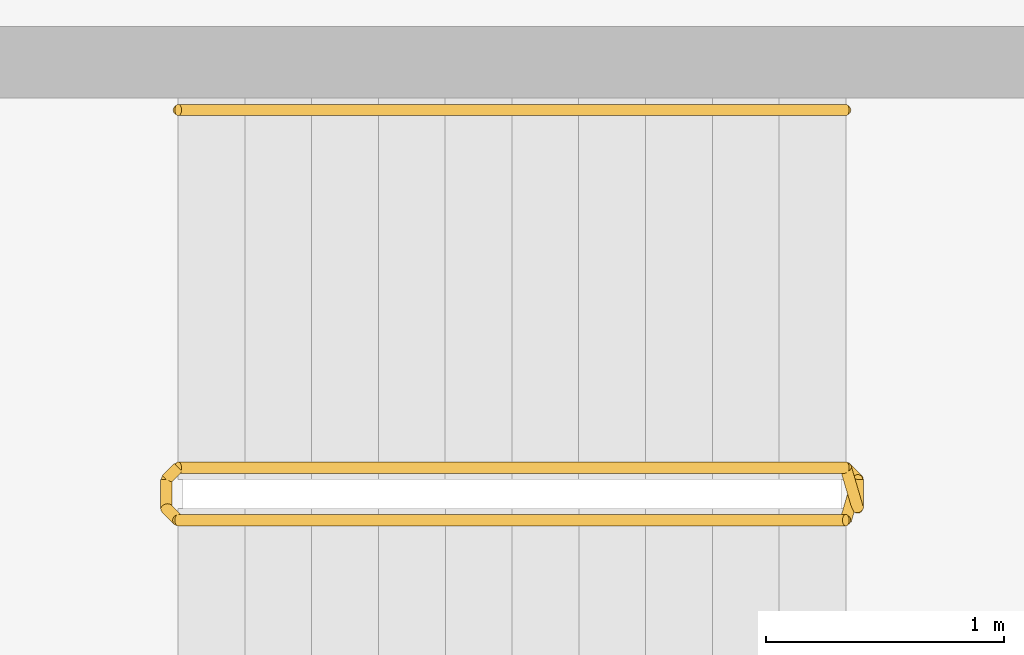
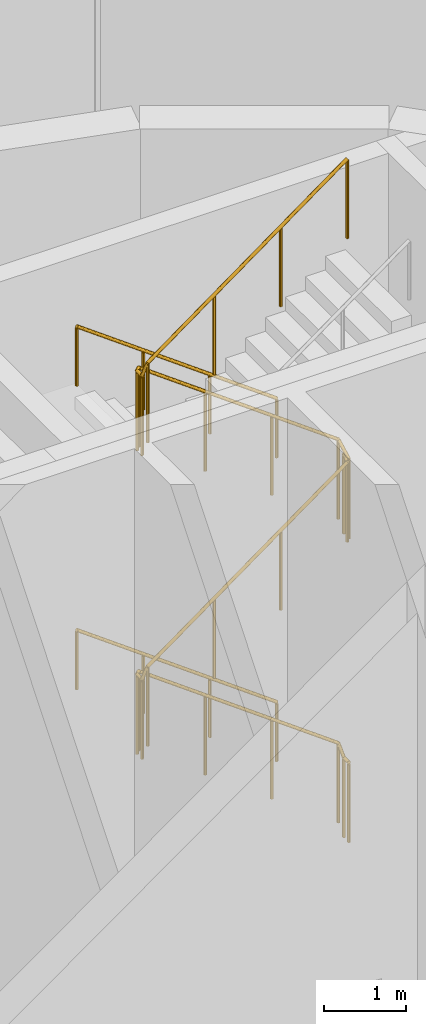
# One storey, part 21 of 21: 3 railings.
"""IFC4 building model written with IfcOpenShell, lengths in metres."""

from ifc_helpers import new_model, si_unit, direction, frame, origin, origin_2d, place, context, subcontext, project, spatial, circle, extrude, material, type_object, element, save


model = new_model("IFC4")

# Units and contexts
model_context = context("Model", 3, precision=1e-05, world=origin(), true_north=direction((0.0, 1.0)))
body_context = subcontext(model_context, "Body", "Model", "MODEL_VIEW")
ifc_project = project(units=[si_unit("LENGTHUNIT", "METRE"), si_unit("AREAUNIT", "SQUARE_METRE"), si_unit("VOLUMEUNIT", "CUBIC_METRE"), si_unit("PLANEANGLEUNIT", "RADIAN"), si_unit("MASSUNIT", "GRAM", prefix="KILO")], contexts=[model_context])

# Site, building, storey
site_placement = place(None, origin())
site = spatial("IfcSite", under=ifc_project, at=site_placement, CompositionType="ELEMENT")
building_placement = place(site_placement, origin())
building = spatial("IfcBuilding", under=site, at=building_placement, Name="Spindle Arch Residences", CompositionType="ELEMENT")
storey_placement = place(building_placement, origin())
storey = spatial("IfcBuildingStorey", under=building, at=storey_placement, Name="L00", CompositionType="ELEMENT", Elevation=0.0)

# Railings
ifc_material_1 = material(Name="Steel, painted", Category="steel")
railing_type_1 = type_object("IfcRailingType", Name="Stair guard 1100", PredefinedType="GUARDRAIL", material=ifc_material_1)
railing_placement = place(storey_placement, frame((5.14990234375, 6.89990234375, 9.0)))
element("IfcRailing", 1, at=railing_placement, inside=storey, type_object=railing_type_1, Name="L00 ST1 stair guard 1", PredefinedType="GUARDRAIL", context=body_context, shape_type="SweptSolid", body=[
    extrude(circle(Radius=0.02392578125, at=origin_2d()), frame((0.0, 0.0, 1.17578125), z_axis=(-0.807473679262, 0.0, -0.589903600005), x_axis=(0.0, -1.0, 0.0)), (0.0, 0.0, 1.0), 3.46728515625),
    extrude(circle(Radius=0.02392578125, at=origin_2d()), frame((-2.7998046875, 0.0, -0.86962890625), z_axis=(-0.231185919813, 0.231185919813, -0.94504293075), x_axis=(-0.707106781187, -0.707106781187, 0.0)), (0.0, 0.0, 1.0), 0.216552734375),
    extrude(circle(Radius=0.02392578125, at=origin_2d()), frame((-2.849853515625, 0.050048828125, -1.07421875), z_axis=(0.0, 1.0, 0.0), x_axis=(-1.0, 0.0, 0.0)), (0.0, 0.0, 1.0), 0.1201171875),
    extrude(circle(Radius=0.02392578125, at=origin_2d()), frame((-2.849853515625, 0.170166015625, -1.07421875), z_axis=(0.707106781187, 0.707106781187, 0.0), x_axis=(-0.707106781187, 0.707106781187, 0.0)), (0.0, 0.0, 1.0), 0.07080078125),
    extrude(circle(Radius=0.02392578125, at=origin_2d()), frame((-2.7998046875, 0.22021484375, -1.07421875), z_axis=(0.807473679262, 0.0, -0.589903600005), x_axis=(0.0, 1.0, 0.0)), (0.0, 0.0, 1.0), 3.46728515625),
    extrude(circle(Radius=0.02392578125, at=origin_2d()), frame((0.0, 0.22021484375, -3.11962890625), z_axis=(0.184836414533, -0.628443809412, -0.755575196969), x_axis=(0.959365501571, 0.282166323992, 0.0)), (0.0, 0.0, 1.0), 0.270751953125),
    extrude(circle(Radius=0.02392578125, at=origin_2d()), frame((0.050048828125, 0.050048828125, -3.32421875), z_axis=(0.0, 1.0, 0.0), x_axis=(-1.0, 0.0, 0.0)), (0.0, 0.0, 1.0), 0.1201171875),
    extrude(circle(Radius=0.02392578125, at=origin_2d()), frame((0.050048828125, 0.170166015625, -3.32421875), z_axis=(-0.282166323992, -0.959365501571, 0.0), x_axis=(0.959365501571, -0.282166323992, 0.0)), (0.0, 0.0, 1.0), 0.177490234375),
    extrude(circle(Radius=0.02392578125, at=origin_2d()), frame((0.0, 0.0, -3.32421875), z_axis=(-0.807473679262, 0.0, -0.589903600005), x_axis=(0.0, -1.0, 0.0)), (0.0, 0.0, 1.0), 3.46728515625),
    extrude(circle(Radius=0.02392578125, at=origin_2d()), frame((-2.7998046875, 0.0, -5.36962890625), z_axis=(-0.231185919813, 0.231185919813, -0.94504293075), x_axis=(-0.707106781187, -0.707106781187, 0.0)), (0.0, 0.0, 1.0), 0.216552734375),
    extrude(circle(Radius=0.02392578125, at=origin_2d()), frame((-2.849853515625, 0.050048828125, -5.57421875), z_axis=(0.0, 1.0, 0.0), x_axis=(-1.0, 0.0, 0.0)), (0.0, 0.0, 1.0), 0.1201171875),
    extrude(circle(Radius=0.02392578125, at=origin_2d()), frame((-2.849853515625, 0.170166015625, -5.57421875), z_axis=(0.707106781187, 0.707106781187, 0.0), x_axis=(-0.707106781187, 0.707106781187, 0.0)), (0.0, 0.0, 1.0), 0.07080078125),
    extrude(circle(Radius=0.02392578125, at=origin_2d()), frame((-2.7998046875, 0.22021484375, -5.57421875), z_axis=(0.807473679262, 0.0, -0.589903600005), x_axis=(0.0, 1.0, 0.0)), (0.0, 0.0, 1.0), 3.46728515625),
    extrude(circle(Radius=0.02392578125, at=origin_2d()), frame((0.0, 0.22021484375, -7.61962890625), z_axis=(0.231185919813, -0.231185919813, -0.94504293075), x_axis=(0.707106781187, 0.707106781187, 0.0)), (0.0, 0.0, 1.0), 0.216552734375),
    extrude(circle(Radius=0.02392578125, at=origin_2d()), frame((0.050048828125, 0.170166015625, -7.82421875), z_axis=(0.0, -1.0, 0.0), x_axis=(1.0, 0.0, 0.0)), (0.0, 0.0, 1.0), 0.1201171875),
    extrude(circle(Radius=0.02099609375, at=origin_2d()), origin(), (0.0, 0.0, 1.0), 1.15185546875),
    extrude(circle(Radius=0.02099609375, at=origin_2d()), frame((-0.933349609375, 0.0, -0.681884765625)), (0.0, 0.0, 1.0), 1.15185546875),
    extrude(circle(Radius=0.02099609375, at=origin_2d()), frame((-1.866455078125, 0.0, -1.363525390625)), (0.0, 0.0, 1.0), 1.15185546875),
    extrude(circle(Radius=0.02099609375, at=origin_2d()), frame((-2.7998046875, 0.0, -2.04541015625)), (0.0, 0.0, 1.0), 1.15185546875),
    extrude(circle(Radius=0.02099609375, at=origin_2d()), frame((-2.849853515625, 0.050048828125, -2.25)), (0.0, 0.0, 1.0), 1.15185546875),
    extrude(circle(Radius=0.02099609375, at=origin_2d()), frame((-2.849853515625, 0.170166015625, -2.25)), (0.0, 0.0, 1.0), 1.15185546875),
    extrude(circle(Radius=0.02099609375, at=origin_2d()), frame((-2.7998046875, 0.22021484375, -2.25)), (0.0, 0.0, 1.0), 1.15185546875),
    extrude(circle(Radius=0.02099609375, at=origin_2d()), frame((-1.866455078125, 0.22021484375, -2.931884765625)), (0.0, 0.0, 1.0), 1.15185546875),
    extrude(circle(Radius=0.02099609375, at=origin_2d()), frame((-0.933349609375, 0.22021484375, -3.613525390625)), (0.0, 0.0, 1.0), 1.15185546875),
    extrude(circle(Radius=0.02099609375, at=origin_2d()), frame((0.0, 0.22021484375, -4.29541015625)), (0.0, 0.0, 1.0), 1.15185546875),
    extrude(circle(Radius=0.02099609375, at=origin_2d()), frame((0.050048828125, 0.050048828125, -4.5)), (0.0, 0.0, 1.0), 1.15185546875),
    extrude(circle(Radius=0.02099609375, at=origin_2d()), frame((0.050048828125, 0.170166015625, -4.5)), (0.0, 0.0, 1.0), 1.15185546875),
    extrude(circle(Radius=0.02099609375, at=origin_2d()), frame((0.0, 0.0, -4.5)), (0.0, 0.0, 1.0), 1.15185546875),
    extrude(circle(Radius=0.02099609375, at=origin_2d()), frame((-0.933349609375, 0.0, -5.181884765625)), (0.0, 0.0, 1.0), 1.15185546875),
    extrude(circle(Radius=0.02099609375, at=origin_2d()), frame((-1.866455078125, 0.0, -5.863525390625)), (0.0, 0.0, 1.0), 1.15185546875),
    extrude(circle(Radius=0.02099609375, at=origin_2d()), frame((-2.7998046875, 0.0, -6.54541015625)), (0.0, 0.0, 1.0), 1.15185546875),
    extrude(circle(Radius=0.02099609375, at=origin_2d()), frame((-2.849853515625, 0.050048828125, -6.75)), (0.0, 0.0, 1.0), 1.15185546875),
    extrude(circle(Radius=0.02099609375, at=origin_2d()), frame((-2.849853515625, 0.170166015625, -6.75)), (0.0, 0.0, 1.0), 1.15185546875),
    extrude(circle(Radius=0.02099609375, at=origin_2d()), frame((-2.7998046875, 0.22021484375, -6.75)), (0.0, 0.0, 1.0), 1.15185546875),
    extrude(circle(Radius=0.02099609375, at=origin_2d()), frame((-1.866455078125, 0.22021484375, -7.431884765625)), (0.0, 0.0, 1.0), 1.15185546875),
    extrude(circle(Radius=0.02099609375, at=origin_2d()), frame((-0.933349609375, 0.22021484375, -8.113525390625)), (0.0, 0.0, 1.0), 1.15185546875),
    extrude(circle(Radius=0.02099609375, at=origin_2d()), frame((0.0, 0.22021484375, -8.79541015625)), (0.0, 0.0, 1.0), 1.15185546875),
    extrude(circle(Radius=0.02099609375, at=origin_2d()), frame((0.050048828125, 0.170166015625, -9.0)), (0.0, 0.0, 1.0), 1.15185546875),
    extrude(circle(Radius=0.02099609375, at=origin_2d()), frame((0.050048828125, 0.050048828125, -9.0)), (0.0, 0.0, 1.0), 1.15185546875),
])
ifc_material_2 = material(Name="Steel, painted", Category="steel")
railing_type_2 = type_object("IfcRailingType", Name="Stair handrail 900", PredefinedType="HANDRAIL", material=ifc_material_2)
for number, where, name in (
    (2, (5.14990234375, 8.6201171875, 0.20458984375), "L00 ST1 stair handrail 1"),
    (3, (5.14990234375, 8.6201171875, 4.70458984375), "L00 ST1 stair handrail 3"),
):
    element("IfcRailing", number, at=place(storey_placement, frame(where)), inside=storey, type_object=railing_type_2, Name=name, PredefinedType="HANDRAIL", context=body_context, shape_type="SweptSolid", body=[
        extrude(circle(Radius=0.02392578125, at=origin_2d()), frame((0.0, 0.0, 0.8759765625), z_axis=(-0.807473679262, 0.0, 0.589903600005), x_axis=(0.0, -1.0, 0.0)), (0.0, 0.0, 1.0), 3.46728515625),
        extrude(circle(Radius=0.02099609375, at=origin_2d()), origin(), (0.0, 0.0, 1.0), 0.851806640625),
        extrude(circle(Radius=0.02099609375, at=origin_2d()), frame((-0.933349609375, 0.0, 0.681884765625)), (0.0, 0.0, 1.0), 0.851806640625),
        extrude(circle(Radius=0.02099609375, at=origin_2d()), frame((-1.866455078125, 0.0, 1.363525390625)), (0.0, 0.0, 1.0), 0.851806640625),
        extrude(circle(Radius=0.02099609375, at=origin_2d()), frame((-2.7998046875, 0.0, 2.04541015625)), (0.0, 0.0, 1.0), 0.851806640625),
    ])

save(model, "model.ifc")
